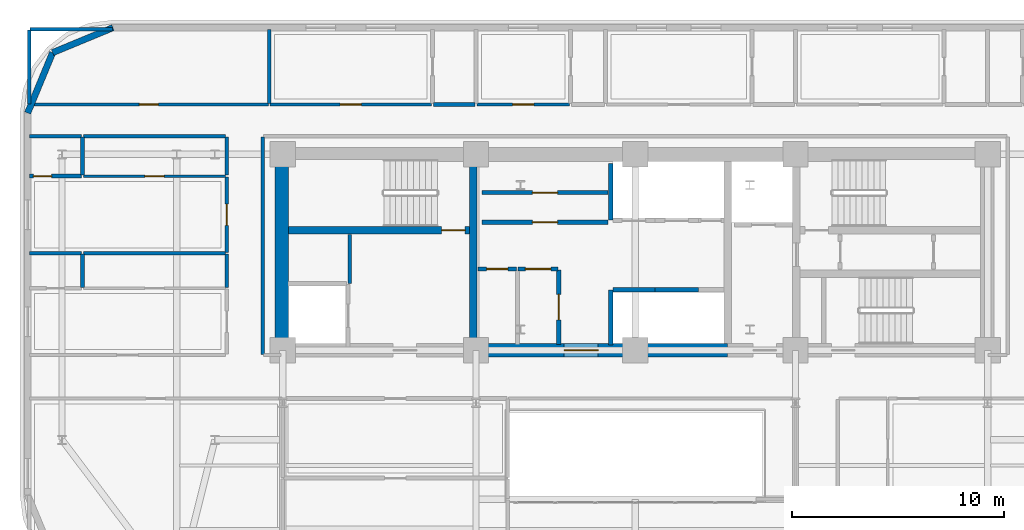
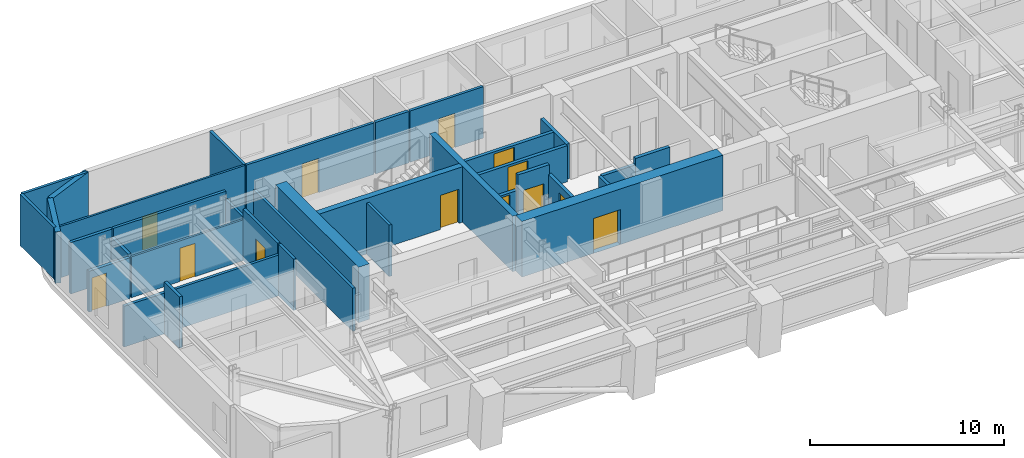
# One storey, part 8 of 15: 35 walls, 13 doors, 13 openings.
"""IFC4 building model written with IfcOpenShell, lengths in metres."""

from ifc_helpers import new_model, si_unit, direction, frame, frame_2d, origin, place, context, subcontext, project, spatial, rectangle, extrude, material, layer, layer_set, type_object, element, fill, save


model = new_model("IFC4")

# Units and contexts
model_context = context("Model", 3, precision=1e-05, world=origin(), true_north=direction((0.0, 1.0)))
body_context = subcontext(model_context, "Body", "Model", "MODEL_VIEW")
ifc_project = project(units=[si_unit("LENGTHUNIT", "METRE"), si_unit("AREAUNIT", "SQUARE_METRE"), si_unit("VOLUMEUNIT", "CUBIC_METRE"), si_unit("PLANEANGLEUNIT", "RADIAN"), si_unit("MASSUNIT", "GRAM", prefix="KILO")], contexts=[model_context])

# Site, building, storey
site_placement = place(None, origin())
site = spatial("IfcSite", under=ifc_project, at=site_placement, CompositionType="ELEMENT")
building_placement = place(site_placement, origin())
building = spatial("IfcBuilding", under=site, at=building_placement, Name="Zarnavel Station Tower", CompositionType="ELEMENT")
storey_placement = place(building_placement, frame((0.0, 0.0, 115.300048828125)))
storey = spatial("IfcBuildingStorey", under=building, at=storey_placement, Name="L31", CompositionType="ELEMENT", Elevation=115.300048828125)

# Wall
ifc_material_1 = material(Name="Concrete C50/60", Category="concrete")
ifc_layer_1 = layer(ifc_material_1, 0.35009765625)
ifc_layer_set_1 = layer_set([ifc_layer_1], Name="CW_350")
wall_type_1 = type_object("IfcWallType", Name="CW_350", PredefinedType="SHEAR", material=ifc_layer_set_1)
wall_1_placement = place(storey_placement, frame((21.179931640625, 28.14501953125, 0.0), z_axis=(0.0, 0.0, 1.0), x_axis=(0.0, 1.0, 0.0)))
element("IfcWall", 1, at=wall_1_placement, inside=storey, type_object=wall_type_1, Name="L31 Rear Core Shear Wall DIV-W", PredefinedType="SHEAR", context=body_context, shape_type="SweptSolid", body=[
    extrude(rectangle(XDim=8.580078125, YDim=0.35009765625, at=frame_2d((4.2900390625, 0.0))), origin(), (0.0, 0.0, 1.0), 3.5),
])

# Wall, opening, door
wall_2_placement = place(storey_placement, frame((21.0048828125, 33.47998046875, 0.0), z_axis=(0.0, 0.0, 1.0), x_axis=(-1.0, 0.0, 0.0)))
wall_2 = element("IfcWall", 2, at=wall_2_placement, inside=storey, type_object=wall_type_1, Name="L31 Rear Core Shear Wall DIV-H1", PredefinedType="SHEAR", context=body_context, shape_type="SweptSolid", body=[
    extrude(rectangle(XDim=8.52978515625, YDim=0.35009765625, at=frame_2d((4.264892578125, 0.0))), origin(), (0.0, 0.0, 1.0), 3.5),
])
opening_1_placement = place(wall_2_placement, frame((0.219970703125, 0.0, 0.0)))
opening_1 = element("IfcOpeningElement", 3, at=opening_1_placement, cuts=wall_2, Name="Opening FD01", PredefinedType="OPENING", context=body_context, shape_type="SweptSolid", body=[
    extrude(rectangle(XDim=1.10009765625, YDim=2.14990234375, at=frame_2d((0.550048828125, 1.074951171875))), frame((0.0, 0.18505859375, 0.0), z_axis=(0.0, -1.0, 0.0), x_axis=(1.0, 0.0, 0.0)), (0.0, 0.0, 1.0), 0.3701171875),
])
ifc_material_2 = material(Name="Painted Galvanised Steel and Hardwood Leaf", Category="steel")
door_type_1 = type_object("IfcDoorType", Name="ID_STAIR_1100", OperationType="NOTDEFINED", PredefinedType="DOOR", material=ifc_material_2)
door_1_placement = place(opening_1_placement, origin())
door_1 = element("IfcDoor", 4, at=door_1_placement, inside=storey, type_object=door_type_1, Name="L31 Stair ST1 Lobby Fire Door", OperationType="SINGLE_SWING_LEFT", OverallHeight=2.14990234375, OverallWidth=1.10009765625, PredefinedType="DOOR", context=body_context, shape_type="SweptSolid", body=[
    extrude(rectangle(XDim=1.10009765625, YDim=2.14990234375, at=frame_2d((0.550048828125, 1.074951171875))), frame((0.0, 0.02490234375, 0.0), z_axis=(0.0, -1.0, 0.0), x_axis=(1.0, 0.0, 0.0)), (0.0, 0.0, 1.0), 0.050048828125),
])
fill(opening_1, door_1)

ifc_material_3 = material(Name="Concrete C60/75", Category="concrete")
ifc_layer_2 = layer(ifc_material_3, 0.64990234375)
ifc_layer_set_2 = layer_set([ifc_layer_2], Name="CW_650")
wall_type_2 = type_object("IfcWallType", Name="CW_650", PredefinedType="SHEAR", material=ifc_layer_set_2)
wall_3_placement = place(storey_placement, frame((33.14990234375, 27.820068359375, 0.0), z_axis=(0.0, 0.0, 1.0), x_axis=(-1.0, 0.0, 0.0)))
wall_3 = element("IfcWall", 5, at=wall_3_placement, inside=storey, type_object=wall_type_2, Name="L31 Rear Core Shear Wall S-M", PredefinedType="SHEAR", context=body_context, shape_type="SweptSolid", body=[
    extrude(rectangle(XDim=11.969970703125, YDim=0.64990234375, at=frame_2d((5.98486328125, 0.0))), origin(), (0.0, 0.0, 1.0), 3.5),
])
opening_2_placement = place(wall_3_placement, frame((6.10009765625, 0.0, 0.0)))
opening_2 = element("IfcOpeningElement", 6, at=opening_2_placement, cuts=wall_3, Name="Opening ID03", PredefinedType="OPENING", context=body_context, shape_type="SweptSolid", body=[
    extrude(rectangle(XDim=1.60009765625, YDim=2.199951171875, at=frame_2d((0.800048828125, 1.10009765625))), frame((0.0, 0.3349609375, 0.0), z_axis=(0.0, -1.0, 0.0), x_axis=(1.0, 0.0, 0.0)), (0.0, 0.0, 1.0), 0.669921875),
])
ifc_material_4 = material(Name="Painted Galvanised Steel and Hardwood Leaf", Category="steel")
door_type_2 = type_object("IfcDoorType", Name="ID_PUBLIC_1600", OperationType="DOUBLE_DOOR_SINGLE_SWING", PredefinedType="DOOR", material=ifc_material_4)
door_2_placement = place(opening_2_placement, origin())
door_2 = element("IfcDoor", 7, at=door_2_placement, inside=storey, type_object=door_type_2, Name="L31 Passenger Lift Lobby Double Door", OperationType="SINGLE_SWING_LEFT", OverallHeight=2.199951171875, OverallWidth=1.60009765625, PredefinedType="DOOR", context=body_context, shape_type="SweptSolid", body=[
    extrude(rectangle(XDim=1.60009765625, YDim=2.199951171875, at=frame_2d((0.800048828125, 1.10009765625))), frame((0.0, 0.02490234375, 0.0), z_axis=(0.0, -1.0, 0.0), x_axis=(1.0, 0.0, 0.0)), (0.0, 0.0, 1.0), 0.050048828125),
])
fill(opening_2, door_2)

# Walls
wall_4_placement = place(storey_placement, frame((12.14990234375, 28.14501953125, 0.0), z_axis=(0.0, 0.0, 1.0), x_axis=(0.0, 1.0, 0.0)))
element("IfcWall", 8, at=wall_4_placement, inside=storey, type_object=wall_type_2, Name="L31 Rear Core Shear Wall W", PredefinedType="SHEAR", context=body_context, shape_type="SweptSolid", body=[
    extrude(rectangle(XDim=8.580078125, YDim=0.64990234375, at=frame_2d((4.2900390625, 0.0))), origin(), (0.0, 0.0, 1.0), 3.5),
])
ifc_material_5 = material(Name="Precast concrete C45/55 (Dark Basalt Finish)", Category="masonry")
ifc_layer_3 = layer(ifc_material_5, 0.300048828125)
ifc_layer_set_3 = layer_set([ifc_layer_3], Name="EW_BASALT_300")
wall_type_3 = type_object("IfcWallType", Name="EW_BASALT_300", PredefinedType="SOLIDWALL", material=ifc_layer_set_3)
for number, where, z_axis, x_axis, name in (
    (9, (1.357421875, 41.842529296875, 0.0), (0.0, 0.0, 1.0), (0.923870793506, 0.382704529509, 0.0), "L31 Exterior Basalt Masonry Frame Wall 07"),
    (10, (0.179931640625, 39.0, 0.0), (0.0, 0.0, 1.0), (0.382704529509, 0.923870793506, 0.0), "L31 Exterior Basalt Masonry Frame Wall 08"),
):
    element("IfcWall", number, at=place(storey_placement, frame(where, z_axis=z_axis, x_axis=x_axis)), inside=storey, type_object=wall_type_3, Name=name, PredefinedType="SOLIDWALL", context=body_context, shape_type="SweptSolid", body=[
        extrude(rectangle(XDim=3.07666015625, YDim=0.300048828125, at=frame_2d((1.538330078125, 0.0))), origin(), (0.0, 0.0, 1.0), 3.239990234375),
    ])
ifc_material_6 = material(Name="Gypsum Twin-Stud Acoustic Fire Partition", Category="concrete")
ifc_layer_4 = layer(ifc_material_6, 0.159912109375)
ifc_layer_set_4 = layer_set([ifc_layer_4], Name="PT_DEMISE_160")
wall_type_4 = type_object("IfcWallType", Name="PT_DEMISE_160", PredefinedType="PARTITIONING", material=ifc_layer_set_4)
wall_5_placement = place(storey_placement, frame((9.550048828125, 30.781005859375, 0.0), z_axis=(0.0, 0.0, 1.0), x_axis=(0.0, 1.0, 0.0)))
element("IfcWall", 11, at=wall_5_placement, inside=storey, type_object=wall_type_4, Name="L31 Partition COR-W-FNW1S", PredefinedType="PARTITIONING", context=body_context, shape_type="SweptSolid", body=[
    extrude(rectangle(XDim=1.570068359375, YDim=0.159912109375, at=frame_2d((0.78515625, 0.0))), origin(), (0.0, 0.0, 1.0), 3.239990234375),
])

# Wall, opening, door
wall_6_placement = place(storey_placement, frame((9.550048828125, 32.430908203125, 0.0), z_axis=(0.0, 0.0, 1.0), x_axis=(0.0, 1.0, 0.0)))
wall_6 = element("IfcWall", 12, at=wall_6_placement, inside=storey, type_object=wall_type_4, Name="L31 Partition COR-W-FNW2R", PredefinedType="PARTITIONING", context=body_context, shape_type="SweptSolid", body=[
    extrude(rectangle(XDim=3.55615234375, YDim=0.159912109375, at=frame_2d((1.778076171875, 0.0))), origin(), (0.0, 0.0, 1.0), 3.239990234375),
])
opening_3_placement = place(wall_6_placement, frame((1.278076171875, 0.0, 0.0)))
opening_3 = element("IfcOpeningElement", 13, at=opening_3_placement, cuts=wall_6, Name="Opening FD02", PredefinedType="OPENING", context=body_context, shape_type="SweptSolid", body=[
    extrude(rectangle(XDim=1.0, YDim=2.14990234375, at=frame_2d((0.5, 1.074951171875))), frame((0.0, 0.08984375, 0.0), z_axis=(0.0, -1.0, 0.0), x_axis=(1.0, 0.0, 0.0)), (0.0, 0.0, 1.0), 0.179931640625),
])
ifc_material_7 = material(Name="Painted Galvanised Steel and Hardwood Leaf", Category="steel")
door_type_3 = type_object("IfcDoorType", Name="ID_ENTRY_1000", OperationType="NOTDEFINED", PredefinedType="DOOR", material=ifc_material_7)
door_3_placement = place(opening_3_placement, origin())
door_3 = element("IfcDoor", 14, at=door_3_placement, inside=storey, type_object=door_type_3, Name="L31 Door COR-W-FNW2R", OperationType="SINGLE_SWING_LEFT", OverallHeight=2.14990234375, OverallWidth=1.0, PredefinedType="DOOR", context=body_context, shape_type="SweptSolid", body=[
    extrude(rectangle(XDim=1.0, YDim=2.14990234375, at=frame_2d((0.5, 1.074951171875))), frame((0.0, 0.02490234375, 0.0), z_axis=(0.0, -1.0, 0.0), x_axis=(1.0, 0.0, 0.0)), (0.0, 0.0, 1.0), 0.050048828125),
])
fill(opening_3, door_3)

# Walls
wall_7_placement = place(storey_placement, frame((9.550048828125, 36.06689453125, 0.0), z_axis=(0.0, 0.0, 1.0), x_axis=(0.0, 1.0, 0.0)))
element("IfcWall", 15, at=wall_7_placement, inside=storey, type_object=wall_type_4, Name="L31 Partition COR-W-FNW2S", PredefinedType="PARTITIONING", context=body_context, shape_type="SweptSolid", body=[
    extrude(rectangle(XDim=1.793212890625, YDim=0.159912109375, at=frame_2d((0.896484375, 0.0))), origin(), (0.0, 0.0, 1.0), 2.719970703125),
])
wall_8_placement = place(storey_placement, frame((2.800048828125, 37.89990234375, 0.0), z_axis=(0.0, 0.0, 1.0), x_axis=(1.0, 0.0, 0.0)))
element("IfcWall", 16, at=wall_8_placement, inside=storey, type_object=wall_type_4, Name="L31 Partition COR-N-FNW2S", PredefinedType="PARTITIONING", context=body_context, shape_type="SweptSolid", body=[
    extrude(rectangle(XDim=6.7099609375, YDim=0.159912109375, at=frame_2d((3.35498046875, 0.0))), origin(), (0.0, 0.0, 1.0), 3.239990234375),
])

# Wall, opening, door
wall_9_placement = place(storey_placement, frame((11.60009765625, 39.39990234375, 0.0), z_axis=(0.0, 0.0, 1.0), x_axis=(1.0, 0.0, 0.0)))
wall_9 = element("IfcWall", 17, at=wall_9_placement, inside=storey, type_object=wall_type_4, Name="L31 Partition COR-N-HN1R", PredefinedType="PARTITIONING", context=body_context, shape_type="SweptSolid", body=[
    extrude(rectangle(XDim=7.60986328125, YDim=0.159912109375, at=frame_2d((3.804931640625, 0.0))), origin(), (0.0, 0.0, 1.0), 3.239990234375),
])
opening_4_placement = place(wall_9_placement, frame((3.304931640625, 0.0, 0.0)))
opening_4 = element("IfcOpeningElement", 18, at=opening_4_placement, cuts=wall_9, Name="Opening FD02", PredefinedType="OPENING", context=body_context, shape_type="SweptSolid", body=[
    extrude(rectangle(XDim=1.0, YDim=2.14990234375, at=frame_2d((0.5, 1.074951171875))), frame((0.0, 0.08984375, 0.0), z_axis=(0.0, -1.0, 0.0), x_axis=(1.0, 0.0, 0.0)), (0.0, 0.0, 1.0), 0.179931640625),
])
door_4_placement = place(opening_4_placement, origin())
door_4 = element("IfcDoor", 19, at=door_4_placement, inside=storey, type_object=door_type_3, Name="L31 Door COR-N-HN1R", OperationType="SINGLE_SWING_LEFT", OverallHeight=2.14990234375, OverallWidth=1.0, PredefinedType="DOOR", context=body_context, shape_type="SweptSolid", body=[
    extrude(rectangle(XDim=1.0, YDim=2.14990234375, at=frame_2d((0.5, 1.074951171875))), frame((0.0, 0.02490234375, 0.0), z_axis=(0.0, -1.0, 0.0), x_axis=(1.0, 0.0, 0.0)), (0.0, 0.0, 1.0), 0.050048828125),
])
fill(opening_4, door_4)

wall_10_placement = place(storey_placement, frame((21.340087890625, 39.39990234375, 0.0), z_axis=(0.0, 0.0, 1.0), x_axis=(1.0, 0.0, 0.0)))
wall_10 = element("IfcWall", 20, at=wall_10_placement, inside=storey, type_object=wall_type_4, Name="L31 Partition COR-N-HN2R", PredefinedType="PARTITIONING", context=body_context, shape_type="SweptSolid", body=[
    extrude(rectangle(XDim=4.3740234375, YDim=0.159912109375, at=frame_2d((2.18701171875, 0.0))), origin(), (0.0, 0.0, 1.0), 3.239990234375),
])
opening_5_placement = place(wall_10_placement, frame((1.68701171875, 0.0, 0.0)))
opening_5 = element("IfcOpeningElement", 21, at=opening_5_placement, cuts=wall_10, Name="Opening FD02", PredefinedType="OPENING", context=body_context, shape_type="SweptSolid", body=[
    extrude(rectangle(XDim=1.0, YDim=2.14990234375, at=frame_2d((0.5, 1.074951171875))), frame((0.0, 0.08984375, 0.0), z_axis=(0.0, -1.0, 0.0), x_axis=(1.0, 0.0, 0.0)), (0.0, 0.0, 1.0), 0.179931640625),
])
door_5_placement = place(opening_5_placement, origin())
door_5 = element("IfcDoor", 22, at=door_5_placement, inside=storey, type_object=door_type_3, Name="L31 Door COR-N-HN2R", OperationType="SINGLE_SWING_RIGHT", OverallHeight=2.14990234375, OverallWidth=1.0, PredefinedType="DOOR", context=body_context, shape_type="SweptSolid", body=[
    extrude(rectangle(XDim=1.0, YDim=2.14990234375, at=frame_2d((0.5, 1.074951171875))), frame((0.0, 0.02490234375, 0.0), z_axis=(0.0, -1.0, 0.0), x_axis=(1.0, 0.0, 0.0)), (0.0, 0.0, 1.0), 0.050048828125),
])
fill(opening_5, door_5)

# Walls
wall_11_placement = place(storey_placement, frame((2.800048828125, 32.39111328125, 0.0), z_axis=(0.0, 0.0, 1.0), x_axis=(1.0, 0.0, 0.0)))
element("IfcWall", 23, at=wall_11_placement, inside=storey, type_object=wall_type_4, Name="L31 Partition FNW1S-FNW2R", PredefinedType="PARTITIONING", context=body_context, shape_type="SweptSolid", body=[
    extrude(rectangle(XDim=6.7099609375, YDim=0.159912109375, at=frame_2d((3.35498046875, 0.0))), origin(), (0.0, 0.0, 1.0), 2.570068359375),
])
wall_12_placement = place(storey_placement, frame((11.56005859375, 39.43994140625, 0.0), z_axis=(0.0, 0.0, 1.0), x_axis=(0.0, 1.0, 0.0)))
element("IfcWall", 24, at=wall_12_placement, inside=storey, type_object=wall_type_4, Name="L31 Partition HSKP-HN1R", PredefinedType="PARTITIONING", context=body_context, shape_type="SweptSolid", body=[
    extrude(rectangle(XDim=3.5, YDim=0.159912109375, at=frame_2d((1.75, 0.0))), origin(), (0.0, 0.0, 1.0), 3.239990234375),
])
wall_13_placement = place(storey_placement, frame((15.35009765625, 30.9599609375, 0.0), z_axis=(0.0, 0.0, 1.0), x_axis=(0.0, 1.0, 0.0)))
element("IfcWall", 25, at=wall_13_placement, inside=storey, type_object=wall_type_4, Name="L31 Enclosure Wall FFL1", PredefinedType="PARTITIONING", context=body_context, shape_type="SweptSolid", body=[
    extrude(rectangle(XDim=2.31005859375, YDim=0.159912109375, at=frame_2d((1.155029296875, 0.0))), origin(), (0.0, 0.0, 1.0), 3.239990234375),
])
wall_14_placement = place(storey_placement, frame((11.25, 27.6298828125, 0.0), z_axis=(0.0, 0.0, 1.0), x_axis=(0.0, 1.0, 0.0)))
element("IfcWall", 26, at=wall_14_placement, inside=storey, type_object=wall_type_4, Name="L31 Enclosure Wall COR-W", PredefinedType="PARTITIONING", context=body_context, shape_type="SweptSolid", body=[
    extrude(rectangle(XDim=10.240234375, YDim=0.159912109375, at=frame_2d((5.1201171875, 0.0))), origin(), (0.0, 0.0, 1.0), 2.719970703125),
])
wall_15_placement = place(storey_placement, frame((0.2900390625, 42.93994140625, 0.0), z_axis=(0.0, 0.0, 1.0), x_axis=(1.0, 0.0, 0.0)))
element("IfcWall", 27, at=wall_15_placement, inside=storey, type_object=wall_type_4, Name="L31 Enclosure Wall HSKP", PredefinedType="PARTITIONING", context=body_context, shape_type="SweptSolid", body=[
    extrude(rectangle(XDim=3.8798828125, YDim=0.159912109375, at=frame_2d((1.93994140625, 0.0))), origin(), (0.0, 0.0, 1.0), 3.239990234375),
])
wall_16_placement = place(storey_placement, frame((0.260009765625, 39.429931640625, 0.0), z_axis=(0.0, 0.0, 1.0), x_axis=(0.0, 1.0, 0.0)))
element("IfcWall", 28, at=wall_16_placement, inside=storey, type_object=wall_type_4, Name="L31 Enclosure Wall HSKP", PredefinedType="PARTITIONING", context=body_context, shape_type="SweptSolid", body=[
    extrude(rectangle(XDim=3.47998046875, YDim=0.159912109375, at=frame_2d((1.739990234375, 0.0))), origin(), (0.0, 0.0, 1.0), 3.239990234375),
])

# Wall, opening, door
ifc_material_8 = material(Name="Gypsum Metal-Stud Interior Partition", Category="concrete")
ifc_layer_5 = layer(ifc_material_8, 0.1201171875)
ifc_layer_set_5 = layer_set([ifc_layer_5], Name="PT_ROOM_120")
wall_type_5 = type_object("IfcWallType", Name="PT_ROOM_120", PredefinedType="PARTITIONING", material=ifc_layer_set_5)
wall_17_placement = place(storey_placement, frame((0.260009765625, 39.39990234375, 0.0), z_axis=(0.0, 0.0, 1.0), x_axis=(1.0, 0.0, 0.0)))
wall_17 = element("IfcWall", 29, at=wall_17_placement, inside=storey, type_object=wall_type_5, Name="L31 Partition COR-N-HSKP", PredefinedType="PARTITIONING", context=body_context, shape_type="SweptSolid", body=[
    extrude(rectangle(XDim=11.260009765625, YDim=0.1201171875, at=frame_2d((5.6298828125, 0.0))), origin(), (0.0, 0.0, 1.0), 3.239990234375),
])
opening_6_placement = place(wall_17_placement, frame((5.179931640625, 0.0, 0.0)))
opening_6 = element("IfcOpeningElement", 30, at=opening_6_placement, cuts=wall_17, Name="Opening ID01", PredefinedType="OPENING", context=body_context, shape_type="SweptSolid", body=[
    extrude(rectangle(XDim=0.89990234375, YDim=2.10009765625, at=frame_2d((0.449951171875, 1.050048828125))), frame((0.0, 0.070068359375, 0.0), z_axis=(0.0, -1.0, 0.0), x_axis=(1.0, 0.0, 0.0)), (0.0, 0.0, 1.0), 0.14013671875),
])
ifc_material_9 = material(Name="Painted Galvanised Steel and Hardwood Leaf", Category="steel")
door_type_4 = type_object("IfcDoorType", Name="ID_ROOM_900", OperationType="NOTDEFINED", PredefinedType="DOOR", material=ifc_material_9)
door_6_placement = place(opening_6_placement, origin())
door_6 = element("IfcDoor", 31, at=door_6_placement, inside=storey, type_object=door_type_4, Name="L31 Door COR-N-HSKP", OperationType="SINGLE_SWING_RIGHT", OverallHeight=2.10009765625, OverallWidth=0.89990234375, PredefinedType="DOOR", context=body_context, shape_type="SweptSolid", body=[
    extrude(rectangle(XDim=0.89990234375, YDim=2.10009765625, at=frame_2d((0.449951171875, 1.050048828125))), frame((0.0, 0.02490234375, 0.0), z_axis=(0.0, -1.0, 0.0), x_axis=(1.0, 0.0, 0.0)), (0.0, 0.0, 1.0), 0.050048828125),
])
fill(opening_6, door_6)

wall_18_placement = place(storey_placement, frame((2.800048828125, 36.027099609375, 0.0), z_axis=(0.0, 0.0, 1.0), x_axis=(1.0, 0.0, 0.0)))
wall_18 = element("IfcWall", 32, at=wall_18_placement, inside=storey, type_object=wall_type_5, Name="L31 Partition FNW2R-FNW2S", PredefinedType="PARTITIONING", context=body_context, shape_type="SweptSolid", body=[
    extrude(rectangle(XDim=6.7099609375, YDim=0.1201171875, at=frame_2d((3.35498046875, 0.0))), origin(), (0.0, 0.0, 1.0), 2.570068359375),
])
opening_7_placement = place(wall_18_placement, frame((2.905029296875, 0.0, 0.0)))
opening_7 = element("IfcOpeningElement", 33, at=opening_7_placement, cuts=wall_18, Name="Opening ID01", PredefinedType="OPENING", context=body_context, shape_type="SweptSolid", body=[
    extrude(rectangle(XDim=0.89990234375, YDim=2.10009765625, at=frame_2d((0.449951171875, 1.050048828125))), frame((0.0, 0.070068359375, 0.0), z_axis=(0.0, -1.0, 0.0), x_axis=(1.0, 0.0, 0.0)), (0.0, 0.0, 1.0), 0.14013671875),
])
door_7_placement = place(opening_7_placement, origin())
door_7 = element("IfcDoor", 34, at=door_7_placement, inside=storey, type_object=door_type_4, Name="L31 Door FNW2R-FNW2S", OperationType="SINGLE_SWING_LEFT", OverallHeight=2.10009765625, OverallWidth=0.89990234375, PredefinedType="DOOR", context=body_context, shape_type="SweptSolid", body=[
    extrude(rectangle(XDim=0.89990234375, YDim=2.10009765625, at=frame_2d((0.449951171875, 1.050048828125))), frame((0.0, 0.02490234375, 0.0), z_axis=(0.0, -1.0, 0.0), x_axis=(1.0, 0.0, 0.0)), (0.0, 0.0, 1.0), 0.050048828125),
])
fill(opening_7, door_7)

# Walls
ifc_material_10 = material(Name="Precast concrete C45/55 (Fire Shaft Blockwork)", Category="masonry")
ifc_layer_6 = layer(ifc_material_10, 0.199951171875)
ifc_layer_set_6 = layer_set([ifc_layer_6], Name="PT_SHAFT_200")
wall_type_6 = type_object("IfcWallType", Name="PT_SHAFT_200", PredefinedType="PARTITIONING", material=ifc_layer_set_6)
wall_19_placement = place(storey_placement, frame((27.75, 30.669921875, 0.0), z_axis=(0.0, 0.0, 1.0), x_axis=(1.0, 0.0, 0.0)))
element("IfcWall", 35, at=wall_19_placement, inside=storey, type_object=wall_type_6, Name="L31 Lift PL-H1 Shaft Front Wall", PredefinedType="PARTITIONING", context=body_context, shape_type="SweptSolid", body=[
    extrude(rectangle(XDim=1.97509765625, YDim=0.199951171875, at=frame_2d((0.987548828125, 0.0))), origin(), (0.0, 0.0, 1.0), 2.2119140625),
])
wall_20_placement = place(storey_placement, frame((27.64990234375, 28.070068359375, 0.0), z_axis=(0.0, 0.0, 1.0), x_axis=(0.0, 1.0, 0.0)))
element("IfcWall", 36, at=wall_20_placement, inside=storey, type_object=wall_type_6, Name="L31 High-Rise Lift Bank West Shaft Wall", PredefinedType="PARTITIONING", context=body_context, shape_type="SweptSolid", body=[
    extrude(rectangle(XDim=2.579833984375, YDim=0.199951171875, at=frame_2d((1.2900390625, 0.0))), origin(), (0.0, 0.0, 1.0), 2.2119140625),
])
wall_21_placement = place(storey_placement, frame((29.72509765625, 30.669921875, 0.0), z_axis=(0.0, 0.0, 1.0), x_axis=(1.0, 0.0, 0.0)))
element("IfcWall", 37, at=wall_21_placement, inside=storey, type_object=wall_type_6, Name="L31 Lift PL-H2 Shaft Front Wall", PredefinedType="PARTITIONING", context=body_context, shape_type="SweptSolid", body=[
    extrude(rectangle(XDim=2.0498046875, YDim=0.199951171875, at=frame_2d((1.02490234375, 0.0))), origin(), (0.0, 0.0, 1.0), 2.619873046875),
])
wall_22_placement = place(storey_placement, frame((27.64990234375, 33.949951171875, 0.0), z_axis=(0.0, 0.0, 1.0), x_axis=(0.0, 1.0, 0.0)))
element("IfcWall", 38, at=wall_22_placement, inside=storey, type_object=wall_type_6, Name="L31 Mid-Rise Lift Bank West Shaft Wall", PredefinedType="PARTITIONING", context=body_context, shape_type="SweptSolid", body=[
    extrude(rectangle(XDim=2.679931640625, YDim=0.199951171875, at=frame_2d((1.33984375, 0.0))), origin(), (0.0, 0.0, 1.0), 2.2119140625),
])

# Wall, opening, door
wall_23_placement = place(storey_placement, frame((21.39990234375, 31.64990234375, 0.0), z_axis=(0.0, 0.0, 1.0), x_axis=(1.0, 0.0, 0.0)))
wall_23 = element("IfcWall", 39, at=wall_23_placement, inside=storey, type_object=wall_type_6, Name="L31 Partition LLOB-CS1", PredefinedType="PARTITIONING", context=body_context, shape_type="SweptSolid", body=[
    extrude(rectangle(XDim=1.81005859375, YDim=0.199951171875, at=frame_2d((0.905029296875, 0.0))), origin(), (0.0, 0.0, 1.0), 2.280029296875),
])
opening_8_placement = place(wall_23_placement, frame((0.405029296875, 0.0, 0.0)))
opening_8 = element("IfcOpeningElement", 40, at=opening_8_placement, cuts=wall_23, Name="Opening FD02", PredefinedType="OPENING", context=body_context, shape_type="SweptSolid", body=[
    extrude(rectangle(XDim=1.0, YDim=2.14990234375, at=frame_2d((0.5, 1.074951171875))), frame((0.0, 0.10986328125, 0.0), z_axis=(0.0, -1.0, 0.0), x_axis=(1.0, 0.0, 0.0)), (0.0, 0.0, 1.0), 0.219970703125),
])
door_8_placement = place(opening_8_placement, origin())
door_8 = element("IfcDoor", 41, at=door_8_placement, inside=storey, type_object=door_type_3, Name="L31 Door LLOB-CS1", OperationType="SINGLE_SWING_LEFT", OverallHeight=2.14990234375, OverallWidth=1.0, PredefinedType="DOOR", context=body_context, shape_type="SweptSolid", body=[
    extrude(rectangle(XDim=1.0, YDim=2.14990234375, at=frame_2d((0.5, 1.074951171875))), frame((0.0, 0.02490234375, 0.0), z_axis=(0.0, -1.0, 0.0), x_axis=(1.0, 0.0, 0.0)), (0.0, 0.0, 1.0), 0.050048828125),
])
fill(opening_8, door_8)

wall_24_placement = place(storey_placement, frame((23.2900390625, 31.64990234375, 0.0), z_axis=(0.0, 0.0, 1.0), x_axis=(1.0, 0.0, 0.0)))
wall_24 = element("IfcWall", 42, at=wall_24_placement, inside=storey, type_object=wall_type_6, Name="L31 Partition LLOB-CS2", PredefinedType="PARTITIONING", context=body_context, shape_type="SweptSolid", body=[
    extrude(rectangle(XDim=1.869873046875, YDim=0.199951171875, at=frame_2d((0.93505859375, 0.0))), origin(), (0.0, 0.0, 1.0), 3.239990234375),
])
opening_9_placement = place(wall_24_placement, frame((0.3349609375, 0.0, 0.0)))
opening_9 = element("IfcOpeningElement", 43, at=opening_9_placement, cuts=wall_24, Name="Opening FD03", PredefinedType="OPENING", context=body_context, shape_type="SweptSolid", body=[
    extrude(rectangle(XDim=1.199951171875, YDim=2.14990234375, at=frame_2d((0.60009765625, 1.074951171875))), frame((0.0, 0.10986328125, 0.0), z_axis=(0.0, -1.0, 0.0), x_axis=(1.0, 0.0, 0.0)), (0.0, 0.0, 1.0), 0.219970703125),
])
ifc_material_11 = material(Name="Painted Galvanised Steel and Hardwood Leaf", Category="steel")
door_type_5 = type_object("IfcDoorType", Name="ID_PLANT_1200", OperationType="NOTDEFINED", PredefinedType="DOOR", material=ifc_material_11)
door_9_placement = place(opening_9_placement, origin())
door_9 = element("IfcDoor", 44, at=door_9_placement, inside=storey, type_object=door_type_5, Name="L31 Door LLOB-CS2", OperationType="SINGLE_SWING_RIGHT", OverallHeight=2.14990234375, OverallWidth=1.199951171875, PredefinedType="DOOR", context=body_context, shape_type="SweptSolid", body=[
    extrude(rectangle(XDim=1.199951171875, YDim=2.14990234375, at=frame_2d((0.60009765625, 1.074951171875))), frame((0.0, 0.02490234375, 0.0), z_axis=(0.0, -1.0, 0.0), x_axis=(1.0, 0.0, 0.0)), (0.0, 0.0, 1.0), 0.050048828125),
])
fill(opening_9, door_9)

wall_25_placement = place(storey_placement, frame((21.590087890625, 33.85009765625, 0.0), z_axis=(0.0, 0.0, 1.0), x_axis=(1.0, 0.0, 0.0)))
wall_25 = element("IfcWall", 45, at=wall_25_placement, inside=storey, type_object=wall_type_6, Name="L31 Partition LLOB-FB1A", PredefinedType="PARTITIONING", context=body_context, shape_type="SweptSolid", body=[
    extrude(rectangle(XDim=5.919921875, YDim=0.199951171875, at=frame_2d((2.9599609375, 0.0))), origin(), (0.0, 0.0, 1.0), 2.280029296875),
])
opening_10_placement = place(wall_25_placement, frame((2.360107421875, 0.0, 0.0)))
opening_10 = element("IfcOpeningElement", 46, at=opening_10_placement, cuts=wall_25, Name="Opening FD03", PredefinedType="OPENING", context=body_context, shape_type="SweptSolid", body=[
    extrude(rectangle(XDim=1.199951171875, YDim=2.14990234375, at=frame_2d((0.60009765625, 1.074951171875))), frame((0.0, 0.10986328125, 0.0), z_axis=(0.0, -1.0, 0.0), x_axis=(1.0, 0.0, 0.0)), (0.0, 0.0, 1.0), 0.219970703125),
])
door_10_placement = place(opening_10_placement, origin())
door_10 = element("IfcDoor", 47, at=door_10_placement, inside=storey, type_object=door_type_5, Name="L31 Door LLOB-FB1A", OperationType="SINGLE_SWING_LEFT", OverallHeight=2.14990234375, OverallWidth=1.199951171875, PredefinedType="DOOR", context=body_context, shape_type="SweptSolid", body=[
    extrude(rectangle(XDim=1.199951171875, YDim=2.14990234375, at=frame_2d((0.60009765625, 1.074951171875))), frame((0.0, 0.02490234375, 0.0), z_axis=(0.0, -1.0, 0.0), x_axis=(1.0, 0.0, 0.0)), (0.0, 0.0, 1.0), 0.050048828125),
])
fill(opening_10, door_10)

wall_26_placement = place(storey_placement, frame((25.199951171875, 28.090087890625, 0.0), z_axis=(0.0, 0.0, 1.0), x_axis=(0.0, 1.0, 0.0)))
wall_26 = element("IfcWall", 48, at=wall_26_placement, inside=storey, type_object=wall_type_6, Name="L31 Partition LLOBS-CS2", PredefinedType="PARTITIONING", context=body_context, shape_type="SweptSolid", body=[
    extrude(rectangle(XDim=3.52001953125, YDim=0.199951171875, at=frame_2d((1.760009765625, 0.0))), origin(), (0.0, 0.0, 1.0), 2.619873046875),
])
opening_11_placement = place(wall_26_placement, frame((1.159912109375, 0.0, 0.0)))
opening_11 = element("IfcOpeningElement", 49, at=opening_11_placement, cuts=wall_26, Name="Opening FD03", PredefinedType="OPENING", context=body_context, shape_type="SweptSolid", body=[
    extrude(rectangle(XDim=1.199951171875, YDim=2.14990234375, at=frame_2d((0.60009765625, 1.074951171875))), frame((0.0, 0.10986328125, 0.0), z_axis=(0.0, -1.0, 0.0), x_axis=(1.0, 0.0, 0.0)), (0.0, 0.0, 1.0), 0.219970703125),
])
door_11_placement = place(opening_11_placement, origin())
door_11 = element("IfcDoor", 50, at=door_11_placement, inside=storey, type_object=door_type_5, Name="L31 Door LLOBS-CS2", OperationType="SINGLE_SWING_RIGHT", OverallHeight=2.14990234375, OverallWidth=1.199951171875, PredefinedType="DOOR", context=body_context, shape_type="SweptSolid", body=[
    extrude(rectangle(XDim=1.199951171875, YDim=2.14990234375, at=frame_2d((0.60009765625, 1.074951171875))), frame((0.0, 0.02490234375, 0.0), z_axis=(0.0, -1.0, 0.0), x_axis=(1.0, 0.0, 0.0)), (0.0, 0.0, 1.0), 0.050048828125),
])
fill(opening_11, door_11)

wall_27_placement = place(storey_placement, frame((21.590087890625, 35.25, 0.0), z_axis=(0.0, 0.0, 1.0), x_axis=(1.0, 0.0, 0.0)))
wall_27 = element("IfcWall", 51, at=wall_27_placement, inside=storey, type_object=wall_type_6, Name="L31 Partition FB1A-FB1B", PredefinedType="PARTITIONING", context=body_context, shape_type="SweptSolid", body=[
    extrude(rectangle(XDim=5.919921875, YDim=0.199951171875, at=frame_2d((2.9599609375, 0.0))), origin(), (0.0, 0.0, 1.0), 2.280029296875),
])
opening_12_placement = place(wall_27_placement, frame((2.360107421875, 0.0, 0.0)))
opening_12 = element("IfcOpeningElement", 52, at=opening_12_placement, cuts=wall_27, Name="Opening FD03", PredefinedType="OPENING", context=body_context, shape_type="SweptSolid", body=[
    extrude(rectangle(XDim=1.199951171875, YDim=2.14990234375, at=frame_2d((0.60009765625, 1.074951171875))), frame((0.0, 0.10986328125, 0.0), z_axis=(0.0, -1.0, 0.0), x_axis=(1.0, 0.0, 0.0)), (0.0, 0.0, 1.0), 0.219970703125),
])
door_12_placement = place(opening_12_placement, origin())
door_12 = element("IfcDoor", 53, at=door_12_placement, inside=storey, type_object=door_type_5, Name="L31 Door FB1A-FB1B", OperationType="SINGLE_SWING_LEFT", OverallHeight=2.14990234375, OverallWidth=1.199951171875, PredefinedType="DOOR", context=body_context, shape_type="SweptSolid", body=[
    extrude(rectangle(XDim=1.199951171875, YDim=2.14990234375, at=frame_2d((0.60009765625, 1.074951171875))), frame((0.0, 0.02490234375, 0.0), z_axis=(0.0, -1.0, 0.0), x_axis=(1.0, 0.0, 0.0)), (0.0, 0.0, 1.0), 0.050048828125),
])
fill(opening_12, door_12)

# Walls
ifc_material_12 = material(Name="Moisture-Resistant Plumbing Chase Wall", Category="concrete")
ifc_layer_7 = layer(ifc_material_12, 0.179931640625)
ifc_layer_set_7 = layer_set([ifc_layer_7], Name="PW_PLUMB_180")
wall_type_7 = type_object("IfcWallType", Name="PW_PLUMB_180", PredefinedType="PLUMBINGWALL", material=ifc_layer_set_7)
wall_28_placement = place(storey_placement, frame((0.260009765625, 37.89990234375, 0.0), z_axis=(0.0, 0.0, 1.0), x_axis=(1.0, 0.0, 0.0)))
element("IfcWall", 54, at=wall_28_placement, inside=storey, type_object=wall_type_7, Name="L31 Partition COR-N-FNW2B", PredefinedType="PLUMBINGWALL", context=body_context, shape_type="SweptSolid", body=[
    extrude(rectangle(XDim=2.4599609375, YDim=0.179931640625, at=frame_2d((1.22998046875, 0.0))), origin(), (0.0, 0.0, 1.0), 3.239990234375),
])
wall_29_placement = place(storey_placement, frame((19.2900390625, 39.39990234375, 0.0), z_axis=(0.0, 0.0, 1.0), x_axis=(1.0, 0.0, 0.0)))
element("IfcWall", 55, at=wall_29_placement, inside=storey, type_object=wall_type_7, Name="L31 Partition COR-N-HN1B", PredefinedType="PLUMBINGWALL", context=body_context, shape_type="SweptSolid", body=[
    extrude(rectangle(XDim=1.969970703125, YDim=0.179931640625, at=frame_2d((0.98486328125, 0.0))), origin(), (0.0, 0.0, 1.0), 3.239990234375),
])
wall_30_placement = place(storey_placement, frame((2.760009765625, 30.781005859375, 0.0), z_axis=(0.0, 0.0, 1.0), x_axis=(0.0, 1.0, 0.0)))
element("IfcWall", 56, at=wall_30_placement, inside=storey, type_object=wall_type_7, Name="L31 Partition FNW1B-FNW1S", PredefinedType="PLUMBINGWALL", context=body_context, shape_type="SweptSolid", body=[
    extrude(rectangle(XDim=1.570068359375, YDim=0.179931640625, at=frame_2d((0.78515625, 0.0))), origin(), (0.0, 0.0, 1.0), 3.239990234375),
])
wall_31_placement = place(storey_placement, frame((0.260009765625, 32.39111328125, 0.0), z_axis=(0.0, 0.0, 1.0), x_axis=(1.0, 0.0, 0.0)))
element("IfcWall", 57, at=wall_31_placement, inside=storey, type_object=wall_type_7, Name="L31 Partition FNW1B-FNW2R", PredefinedType="PLUMBINGWALL", context=body_context, shape_type="SweptSolid", body=[
    extrude(rectangle(XDim=2.4599609375, YDim=0.179931640625, at=frame_2d((1.22998046875, 0.0))), origin(), (0.0, 0.0, 1.0), 2.570068359375),
])

# Wall, opening, door
wall_32_placement = place(storey_placement, frame((2.719970703125, 36.027099609375, 0.0), z_axis=(0.0, 0.0, 1.0), x_axis=(-1.0, 0.0, 0.0)))
wall_32 = element("IfcWall", 58, at=wall_32_placement, inside=storey, type_object=wall_type_7, Name="L31 Partition FNW2R-FNW2B", PredefinedType="PLUMBINGWALL", context=body_context, shape_type="SweptSolid", body=[
    extrude(rectangle(XDim=2.4599609375, YDim=0.179931640625, at=frame_2d((1.22998046875, 0.0))), origin(), (0.0, 0.0, 1.0), 2.570068359375),
])
opening_13_placement = place(wall_32_placement, frame((1.41455078125, 0.0, 0.0)))
opening_13 = element("IfcOpeningElement", 59, at=opening_13_placement, cuts=wall_32, Name="Opening ID02", PredefinedType="OPENING", context=body_context, shape_type="SweptSolid", body=[
    extrude(rectangle(XDim=0.85009765625, YDim=2.10009765625, at=frame_2d((0.425048828125, 1.050048828125))), frame((0.0, 0.099853515625, 0.0), z_axis=(0.0, -1.0, 0.0), x_axis=(1.0, 0.0, 0.0)), (0.0, 0.0, 1.0), 0.199951171875),
])
ifc_material_13 = material(Name="Painted Galvanised Steel and Hardwood Leaf", Category="steel")
door_type_6 = type_object("IfcDoorType", Name="ID_BATH_850", OperationType="NOTDEFINED", PredefinedType="DOOR", material=ifc_material_13)
door_13_placement = place(opening_13_placement, origin())
door_13 = element("IfcDoor", 60, at=door_13_placement, inside=storey, type_object=door_type_6, Name="L31 Door FNW2R-FNW2B", OperationType="SINGLE_SWING_RIGHT", OverallHeight=2.10009765625, OverallWidth=0.85009765625, PredefinedType="DOOR", context=body_context, shape_type="SweptSolid", body=[
    extrude(rectangle(XDim=0.85009765625, YDim=2.10009765625, at=frame_2d((0.425048828125, 1.050048828125))), frame((0.0, 0.02490234375, 0.0), z_axis=(0.0, -1.0, 0.0), x_axis=(1.0, 0.0, 0.0)), (0.0, 0.0, 1.0), 0.050048828125),
])
fill(opening_13, door_13)

# Wall
wall_33_placement = place(storey_placement, frame((2.760009765625, 36.06689453125, 0.0), z_axis=(0.0, 0.0, 1.0), x_axis=(0.0, 1.0, 0.0)))
element("IfcWall", 61, at=wall_33_placement, inside=storey, type_object=wall_type_7, Name="L31 Partition FNW2B-FNW2S", PredefinedType="PLUMBINGWALL", context=body_context, shape_type="SweptSolid", body=[
    extrude(rectangle(XDim=1.793212890625, YDim=0.179931640625, at=frame_2d((0.896484375, 0.0))), origin(), (0.0, 0.0, 1.0), 2.719970703125),
])

save(model, "model.ifc")
